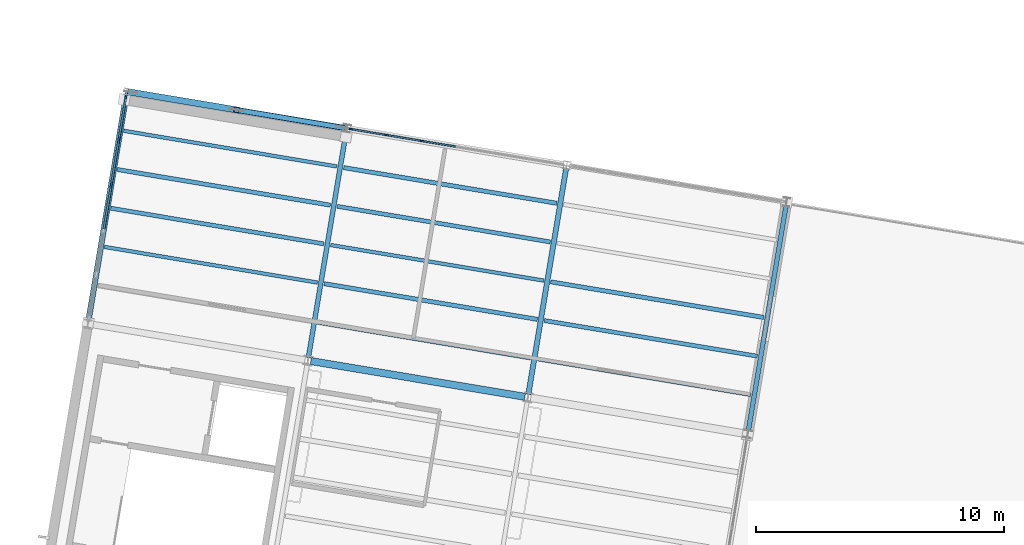
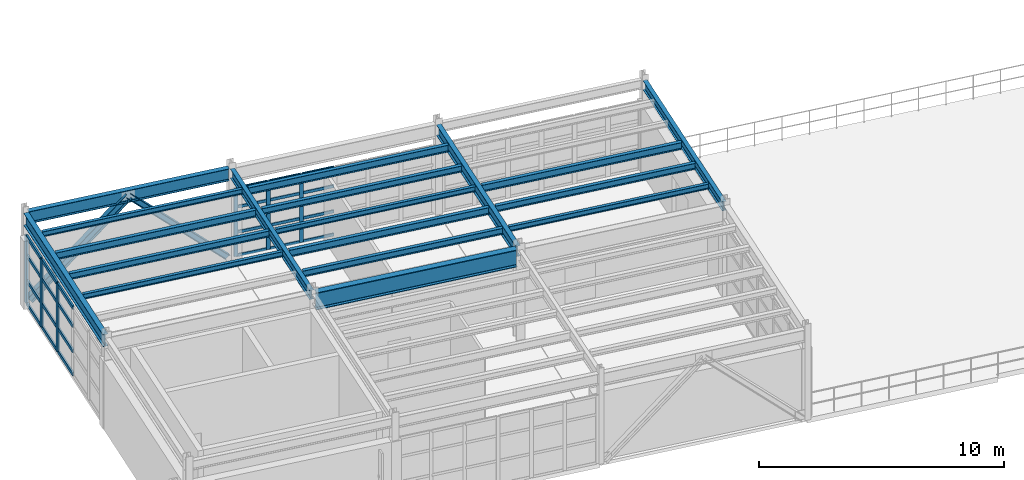
# One storey, part 25 of 59: 32 members, 18 beams, 2 elements without a shape of their own.
"""IFC4 building model written with IfcOpenShell, lengths in metres."""

from ifc_helpers import new_model, si_unit, direction, frame, origin, origin_2d, place, context, subcontext, project, spatial, rectangle, i_section, extrude, material, layer, layer_set, material_profile, profile_set, type_object, element, aggregate, save


model = new_model("IFC4")

# Units and contexts
model_context = context("Model", 3, precision=1e-05, world=origin(), true_north=direction((0.0, 1.0)))
body_context = subcontext(model_context, "Body", "Model", "MODEL_VIEW")
ifc_project = project(units=[si_unit("LENGTHUNIT", "METRE"), si_unit("AREAUNIT", "SQUARE_METRE"), si_unit("VOLUMEUNIT", "CUBIC_METRE"), si_unit("PLANEANGLEUNIT", "RADIAN"), si_unit("MASSUNIT", "GRAM", prefix="KILO")], contexts=[model_context])

# Site, building, storey
site_placement = place(None, origin())
site = spatial("IfcSite", under=ifc_project, at=site_placement, CompositionType="ELEMENT")
building_placement = place(site_placement, origin())
building = spatial("IfcBuilding", under=site, at=building_placement, Name="Vireo Bluff Cable Station", CompositionType="ELEMENT")
storey_placement = place(building_placement, frame((0.0, 0.0, 14.39990234375)))
storey = spatial("IfcBuildingStorey", under=building, at=storey_placement, Name="L03", CompositionType="ELEMENT", Elevation=14.39990234375)

# Beams
ifc_material_1 = material(Name="Steel ASTM A992 Gr. 50", Category="steel")
ifc_material_profile_1 = material_profile(ifc_material_1, i_section(OverallWidth=0.193115234375, OverallDepth=0.467041015625, WebThickness=0.011474609375, FlangeThickness=0.01904296875, FilletRadius=0.011962890625, at=origin_2d()), Name="W18X65")
ifc_profile_set_1 = profile_set([ifc_material_profile_1], Name="Steel ASTM A992 Gr. 50")
beam_type_1 = type_object("IfcBeamType", Name="BM-W18X65", PredefinedType="BEAM", material=ifc_profile_set_1)
beam_1_placement = place(storey_placement, frame((17.5322265625, 88.872314453125, 4.2666015625), z_axis=(0.165044536891, 0.986286115102, 0.0), x_axis=(-0.986286115102, 0.165044536891, 0.0)))
element("IfcBeam", 1, at=beam_1_placement, inside=storey, type_object=beam_type_1, Name="V4 L03 beam 1060", PredefinedType="BEAM", context=body_context, shape_type="SweptSolid", body=[
    extrude(i_section(OverallWidth=0.193115234375, OverallDepth=0.467041015625, WebThickness=0.011474609375, FlangeThickness=0.01904296875, FilletRadius=0.011962890625, at=origin_2d()), origin(), (0.0, 0.0, 1.0), 9.260009765625),
])
ifc_material_profile_2 = material_profile(ifc_material_1, i_section(OverallWidth=0.2099609375, OverallDepth=0.535888671875, WebThickness=0.010986328125, FlangeThickness=0.017333984375, FilletRadius=0.012939453125, at=origin_2d()), Name="W21X68")
ifc_profile_set_2 = profile_set([ifc_material_profile_2], Name="Steel ASTM A992 Gr. 50")
beam_type_2 = type_object("IfcBeamType", Name="BM-W21X68", PredefinedType="BEAM", material=ifc_profile_set_2)
beam_2_placement = place(storey_placement, frame((26.408935546875, 87.386962890625, 4.232177734375), z_axis=(0.165044536891, 0.986286115102, 0.0), x_axis=(-0.986286115102, 0.165044536891, 0.0)))
element("IfcBeam", 2, at=beam_2_placement, inside=storey, type_object=beam_type_2, Name="V4 L03 beam 1062", PredefinedType="BEAM", context=body_context, shape_type="SweptSolid", body=[
    extrude(i_section(OverallWidth=0.2099609375, OverallDepth=0.535888671875, WebThickness=0.010986328125, FlangeThickness=0.017333984375, FilletRadius=0.012939453125, at=origin_2d()), origin(), (0.0, 0.0, 1.0), 9.260009765625),
])

# Members
ifc_material_profile_3 = material_profile(ifc_material_1, i_section(OverallWidth=0.2041015625, OverallDepth=0.257080078125, WebThickness=0.0087890625, FlangeThickness=0.015625, FilletRadius=0.009033203125, at=origin_2d()), Name="W10X45")
ifc_profile_set_3 = profile_set([ifc_material_profile_3], Name="Steel ASTM A992 Gr. 50")
member_type_1 = type_object("IfcMemberType", Name="BRC-01", PredefinedType="BRACE", material=ifc_profile_set_3)
member_1_placement = place(storey_placement, frame((18.922607421875, 98.150146484375, 0.0400390625), z_axis=(-0.713650967905, 0.119423483707, 0.690246570109), x_axis=(-0.165046622801, -0.986285766044, 0.0)))
element("IfcMember", 3, at=member_1_placement, inside=storey, type_object=member_type_1, Name="V4 L03 concentric brace 84R", PredefinedType="BRACE", context=body_context, shape_type="SweptSolid", body=[
    extrude(i_section(OverallWidth=0.2041015625, OverallDepth=0.257080078125, WebThickness=0.0087890625, FlangeThickness=0.015625, FilletRadius=0.009033203125, at=origin_2d()), origin(), (0.0, 0.0, 1.0), 5.998046875),
])
ifc_material_profile_4 = material_profile(ifc_material_1, i_section(OverallWidth=0.25390625, OverallDepth=0.35302734375, WebThickness=0.009521484375, FlangeThickness=0.016357421875, FilletRadius=0.011962890625, at=origin_2d()), Name="W14X61")
ifc_profile_set_4 = profile_set([ifc_material_profile_4], Name="Steel ASTM A992 Gr. 50")
member_type_2 = type_object("IfcMemberType", Name="BRC-06", PredefinedType="BRACE", material=ifc_profile_set_4)
member_2_placement = place(storey_placement, frame((10.361572265625, 99.582763671875, 0.0400390625), z_axis=(0.713650967905, -0.119423483707, 0.690246570109), x_axis=(0.165046622801, 0.986285766044, 0.0)))
element("IfcMember", 4, at=member_2_placement, inside=storey, type_object=member_type_2, Name="V4 L03 concentric brace 83L", PredefinedType="BRACE", context=body_context, shape_type="SweptSolid", body=[
    extrude(i_section(OverallWidth=0.25390625, OverallDepth=0.35302734375, WebThickness=0.009521484375, FlangeThickness=0.016357421875, FilletRadius=0.011962890625, at=origin_2d()), origin(), (0.0, 0.0, 1.0), 5.998046875),
])

# Curtain wall, members
ifc_material_2 = material(Name="Anodized Aluminium 6063-T6", Category="aluminium")
ifc_layer_1 = layer(ifc_material_2, 0.179931640625, Name="Anodized Aluminium 6063-T6")
ifc_layer_set_1 = layer_set([ifc_layer_1], Name="Anodized Aluminium 6063-T6")
curtain_wall_type_1 = type_object("IfcCurtainWallType", Name="CW-UNIT-1400", PredefinedType="USERDEFINED", material=ifc_layer_set_1)
curtain_wall_1_placement = place(storey_placement, origin())
curtain_wall_1 = element("IfcCurtainWall", 5, at=curtain_wall_1_placement, inside=storey, type_object=curtain_wall_type_1, Name="V4 L03 north curtain wall CW-108", ObjectType="UNITISED CURTAIN WALL", PredefinedType="USERDEFINED")
ifc_material_profile_5 = material_profile(ifc_material_2, rectangle(XDim=0.06494140625, YDim=0.179931640625, at=origin_2d()), Name="ALU-M-65X180")
ifc_profile_set_5 = profile_set([ifc_material_profile_5], Name="Anodized Aluminium 6063-T6")
member_type_3 = type_object("IfcMemberType", Name="CWM-01", PredefinedType="MULLION", material=ifc_profile_set_5)
member_3_placement = place(storey_placement, frame((19.264892578125, 98.0927734375, 0.0), z_axis=(0.0, 0.0, 1.0), x_axis=(0.165047525781, 0.986285614938, 0.0)))
member_3 = element("IfcMember", 6, at=member_3_placement, type_object=member_type_3, Name="CW-108 mullion 1", PredefinedType="MULLION", context=body_context, shape_type="SweptSolid", body=[
    extrude(rectangle(XDim=0.06494140625, YDim=0.179931640625, at=origin_2d()), origin(), (0.0, 0.0, 1.0), 3.400146484375),
])
member_4_placement = place(storey_placement, frame((20.661376953125, 97.859130859375, 0.0), z_axis=(0.0, 0.0, 1.0), x_axis=(0.165047525781, 0.986285614938, 0.0)))
member_4 = element("IfcMember", 7, at=member_4_placement, type_object=member_type_3, Name="CW-108 mullion 2", PredefinedType="MULLION", context=body_context, shape_type="SweptSolid", body=[
    extrude(rectangle(XDim=0.06494140625, YDim=0.179931640625, at=origin_2d()), origin(), (0.0, 0.0, 1.0), 3.400146484375),
])
member_5_placement = place(storey_placement, frame((22.08984375, 97.6201171875, 0.0), z_axis=(0.0, 0.0, 1.0), x_axis=(0.165047525781, 0.986285614938, 0.0)))
member_5 = element("IfcMember", 8, at=member_5_placement, type_object=member_type_3, Name="CW-108 mullion 3", PredefinedType="MULLION", context=body_context, shape_type="SweptSolid", body=[
    extrude(rectangle(XDim=0.06494140625, YDim=0.179931640625, at=origin_2d()), origin(), (0.0, 0.0, 1.0), 3.400146484375),
])

ifc_layer_2 = layer(ifc_material_2, 0.159912109375, Name="Anodized Aluminium 6063-T6")
ifc_layer_set_2 = layer_set([ifc_layer_2], Name="Anodized Aluminium 6063-T6")
curtain_wall_type_2 = type_object("IfcCurtainWallType", Name="CW-STICK-1850", PredefinedType="USERDEFINED", material=ifc_layer_set_2)
curtain_wall_2_placement = place(storey_placement, origin())
curtain_wall_2 = element("IfcCurtainWall", 9, at=curtain_wall_2_placement, inside=storey, type_object=curtain_wall_type_2, Name="V4 L03 west curtain wall CW-107", ObjectType="STICK CURTAIN WALL", PredefinedType="USERDEFINED")
ifc_material_profile_6 = material_profile(ifc_material_2, rectangle(XDim=0.080078125, YDim=0.239990234375, at=origin_2d()), Name="ALU-M-80X240")
ifc_profile_set_6 = profile_set([ifc_material_profile_6], Name="Anodized Aluminium 6063-T6")
member_type_4 = type_object("IfcMemberType", Name="CWM-04", PredefinedType="MULLION", material=ifc_profile_set_6)
member_6_placement = place(storey_placement, frame((9.573974609375, 95.844970703125, 0.0), z_axis=(0.0, 0.0, 1.0), x_axis=(-0.986285614232, 0.165047529999, 0.0)))
member_6 = element("IfcMember", 10, at=member_6_placement, type_object=member_type_4, Name="CW-107 mullion 4", PredefinedType="MULLION", context=body_context, shape_type="SweptSolid", body=[
    extrude(rectangle(XDim=0.080078125, YDim=0.239990234375, at=origin_2d()), origin(), (0.0, 0.0, 1.0), 3.400146484375),
])
member_7_placement = place(storey_placement, frame((9.8779296875, 97.660888671875, 0.0), z_axis=(0.0, 0.0, 1.0), x_axis=(-0.986285614232, 0.165047529999, 0.0)))
member_7 = element("IfcMember", 11, at=member_7_placement, type_object=member_type_4, Name="CW-107 mullion 5", PredefinedType="MULLION", context=body_context, shape_type="SweptSolid", body=[
    extrude(rectangle(XDim=0.080078125, YDim=0.239990234375, at=origin_2d()), origin(), (0.0, 0.0, 1.0), 3.400146484375),
])
member_8_placement = place(storey_placement, frame((10.175048828125, 99.4375, 0.0), z_axis=(0.0, 0.0, 1.0), x_axis=(-0.986285614232, 0.165047529999, 0.0)))
member_8 = element("IfcMember", 12, at=member_8_placement, type_object=member_type_4, Name="CW-107 mullion 6", PredefinedType="MULLION", context=body_context, shape_type="SweptSolid", body=[
    extrude(rectangle(XDim=0.080078125, YDim=0.239990234375, at=origin_2d()), origin(), (0.0, 0.0, 1.0), 3.400146484375),
])

# Member
ifc_material_profile_7 = material_profile(ifc_material_2, rectangle(XDim=0.06494140625, YDim=0.139892578125, at=origin_2d()), Name="ALU-T-65X140")
ifc_profile_set_7 = profile_set([ifc_material_profile_7], Name="Anodized Aluminium 6063-T6")
member_type_5 = type_object("IfcMemberType", Name="CWT-01", PredefinedType="USERDEFINED", material=ifc_profile_set_7)
member_9_placement = place(storey_placement, frame((19.296875, 98.08740234375, 0.03271484375), z_axis=(0.986291150375, -0.165014443887, 0.0), x_axis=(0.165014443887, 0.986291150375, 0.0)))
member_9 = element("IfcMember", 13, at=member_9_placement, type_object=member_type_5, Name="CW-108 transom 1.1", ObjectType="TRANSOM", PredefinedType="USERDEFINED", context=body_context, shape_type="SweptSolid", body=[
    extrude(rectangle(XDim=0.06494140625, YDim=0.139892578125, at=origin_2d()), origin(), (0.0, 0.0, 1.0), 1.350830078125),
])

member_10_placement = place(storey_placement, frame((19.296875, 98.08740234375, 1.190185546875), z_axis=(0.986291150375, -0.165014443887, 0.0), x_axis=(0.165014443887, 0.986291150375, 0.0)))
member_10 = element("IfcMember", 14, at=member_10_placement, type_object=member_type_5, Name="CW-108 transom 1.2", ObjectType="TRANSOM", PredefinedType="USERDEFINED", context=body_context, shape_type="SweptSolid", body=[
    extrude(rectangle(XDim=0.06494140625, YDim=0.139892578125, at=origin_2d()), origin(), (0.0, 0.0, 1.0), 1.350830078125),
])

member_11_placement = place(storey_placement, frame((19.296875, 98.08740234375, 2.447998046875), z_axis=(0.986291150375, -0.165014443887, 0.0), x_axis=(0.165014443887, 0.986291150375, 0.0)))
member_11 = element("IfcMember", 15, at=member_11_placement, type_object=member_type_5, Name="CW-108 transom 1.3", ObjectType="TRANSOM", PredefinedType="USERDEFINED", context=body_context, shape_type="SweptSolid", body=[
    extrude(rectangle(XDim=0.06494140625, YDim=0.139892578125, at=origin_2d()), origin(), (0.0, 0.0, 1.0), 1.350830078125),
])

member_12_placement = place(storey_placement, frame((19.296875, 98.08740234375, 3.36767578125), z_axis=(0.986291150375, -0.165014443887, 0.0), x_axis=(0.165014443887, 0.986291150375, 0.0)))
member_12 = element("IfcMember", 16, at=member_12_placement, type_object=member_type_5, Name="CW-108 transom 1.4", ObjectType="TRANSOM", PredefinedType="USERDEFINED", context=body_context, shape_type="SweptSolid", body=[
    extrude(rectangle(XDim=0.06494140625, YDim=0.139892578125, at=origin_2d()), origin(), (0.0, 0.0, 1.0), 1.350830078125),
])

member_13_placement = place(storey_placement, frame((20.693359375, 97.853759765625, 0.03271484375), z_axis=(0.986288776182, -0.16502863381, 0.0), x_axis=(0.16502863381, 0.986288776182, 0.0)))
member_13 = element("IfcMember", 17, at=member_13_placement, type_object=member_type_5, Name="CW-108 transom 2.1", ObjectType="TRANSOM", PredefinedType="USERDEFINED", context=body_context, shape_type="SweptSolid", body=[
    extrude(rectangle(XDim=0.06494140625, YDim=0.139892578125, at=origin_2d()), origin(), (0.0, 0.0, 1.0), 1.38330078125),
])

member_14_placement = place(storey_placement, frame((20.693359375, 97.853759765625, 1.190185546875), z_axis=(0.986288776182, -0.16502863381, 0.0), x_axis=(0.16502863381, 0.986288776182, 0.0)))
member_14 = element("IfcMember", 18, at=member_14_placement, type_object=member_type_5, Name="CW-108 transom 2.2", ObjectType="TRANSOM", PredefinedType="USERDEFINED", context=body_context, shape_type="SweptSolid", body=[
    extrude(rectangle(XDim=0.06494140625, YDim=0.139892578125, at=origin_2d()), origin(), (0.0, 0.0, 1.0), 1.38330078125),
])

member_15_placement = place(storey_placement, frame((20.693359375, 97.853759765625, 2.447998046875), z_axis=(0.986288776182, -0.16502863381, 0.0), x_axis=(0.16502863381, 0.986288776182, 0.0)))
member_15 = element("IfcMember", 19, at=member_15_placement, type_object=member_type_5, Name="CW-108 transom 2.3", ObjectType="TRANSOM", PredefinedType="USERDEFINED", context=body_context, shape_type="SweptSolid", body=[
    extrude(rectangle(XDim=0.06494140625, YDim=0.139892578125, at=origin_2d()), origin(), (0.0, 0.0, 1.0), 1.38330078125),
])

member_16_placement = place(storey_placement, frame((20.693359375, 97.853759765625, 3.36767578125), z_axis=(0.986288776182, -0.16502863381, 0.0), x_axis=(0.16502863381, 0.986288776182, 0.0)))
member_16 = element("IfcMember", 20, at=member_16_placement, type_object=member_type_5, Name="CW-108 transom 2.4", ObjectType="TRANSOM", PredefinedType="USERDEFINED", context=body_context, shape_type="SweptSolid", body=[
    extrude(rectangle(XDim=0.06494140625, YDim=0.139892578125, at=origin_2d()), origin(), (0.0, 0.0, 1.0), 1.38330078125),
])

member_17_placement = place(storey_placement, frame((22.121826171875, 97.61474609375, 0.03271484375), z_axis=(0.986288776182, -0.16502863381, 0.0), x_axis=(0.16502863381, 0.986288776182, 0.0)))
member_17 = element("IfcMember", 21, at=member_17_placement, type_object=member_type_5, Name="CW-108 transom 3.1", ObjectType="TRANSOM", PredefinedType="USERDEFINED", context=body_context, shape_type="SweptSolid", body=[
    extrude(rectangle(XDim=0.06494140625, YDim=0.139892578125, at=origin_2d()), origin(), (0.0, 0.0, 1.0), 1.38330078125),
])

member_18_placement = place(storey_placement, frame((22.121826171875, 97.61474609375, 1.190185546875), z_axis=(0.986288776182, -0.16502863381, 0.0), x_axis=(0.16502863381, 0.986288776182, 0.0)))
member_18 = element("IfcMember", 22, at=member_18_placement, type_object=member_type_5, Name="CW-108 transom 3.2", ObjectType="TRANSOM", PredefinedType="USERDEFINED", context=body_context, shape_type="SweptSolid", body=[
    extrude(rectangle(XDim=0.06494140625, YDim=0.139892578125, at=origin_2d()), origin(), (0.0, 0.0, 1.0), 1.38330078125),
])

member_19_placement = place(storey_placement, frame((22.121826171875, 97.61474609375, 2.447998046875), z_axis=(0.986288776182, -0.16502863381, 0.0), x_axis=(0.16502863381, 0.986288776182, 0.0)))
member_19 = element("IfcMember", 23, at=member_19_placement, type_object=member_type_5, Name="CW-108 transom 3.3", ObjectType="TRANSOM", PredefinedType="USERDEFINED", context=body_context, shape_type="SweptSolid", body=[
    extrude(rectangle(XDim=0.06494140625, YDim=0.139892578125, at=origin_2d()), origin(), (0.0, 0.0, 1.0), 1.38330078125),
])

member_20_placement = place(storey_placement, frame((22.121826171875, 97.61474609375, 3.36767578125), z_axis=(0.986288776182, -0.16502863381, 0.0), x_axis=(0.16502863381, 0.986288776182, 0.0)))
member_20 = element("IfcMember", 24, at=member_20_placement, type_object=member_type_5, Name="CW-108 transom 3.4", ObjectType="TRANSOM", PredefinedType="USERDEFINED", context=body_context, shape_type="SweptSolid", body=[
    extrude(rectangle(XDim=0.06494140625, YDim=0.139892578125, at=origin_2d()), origin(), (0.0, 0.0, 1.0), 1.38330078125),
])

aggregate(curtain_wall_1, [member_3, member_4, member_5, member_9, member_10, member_11, member_12, member_13, member_14, member_15, member_16, member_17, member_18, member_19, member_20])

ifc_material_profile_8 = material_profile(ifc_material_2, rectangle(XDim=0.080078125, YDim=0.175048828125, at=origin_2d()), Name="ALU-T-80X175")
ifc_profile_set_8 = profile_set([ifc_material_profile_8], Name="Anodized Aluminium 6063-T6")
member_type_6 = type_object("IfcMemberType", Name="CWT-04", PredefinedType="USERDEFINED", material=ifc_profile_set_8)
member_21_placement = place(storey_placement, frame((9.276611328125, 94.068359375, 0.0400390625), z_axis=(0.165095790109, 0.986277537049, 0.0), x_axis=(-0.986277537049, 0.165095790109, 0.0)))
member_21 = element("IfcMember", 25, at=member_21_placement, type_object=member_type_6, Name="CW-107 transom 3.1", ObjectType="TRANSOM", PredefinedType="USERDEFINED", context=body_context, shape_type="SweptSolid", body=[
    extrude(rectangle(XDim=0.080078125, YDim=0.175048828125, at=origin_2d()), origin(), (0.0, 0.0, 1.0), 1.76123046875),
])

member_22_placement = place(storey_placement, frame((9.276611328125, 94.068359375, 1.190185546875), z_axis=(0.165095790109, 0.986277537049, 0.0), x_axis=(-0.986277537049, 0.165095790109, 0.0)))
member_22 = element("IfcMember", 26, at=member_22_placement, type_object=member_type_6, Name="CW-107 transom 3.2", ObjectType="TRANSOM", PredefinedType="USERDEFINED", context=body_context, shape_type="SweptSolid", body=[
    extrude(rectangle(XDim=0.080078125, YDim=0.175048828125, at=origin_2d()), origin(), (0.0, 0.0, 1.0), 1.76123046875),
])

member_23_placement = place(storey_placement, frame((9.276611328125, 94.068359375, 2.447998046875), z_axis=(0.165095790109, 0.986277537049, 0.0), x_axis=(-0.986277537049, 0.165095790109, 0.0)))
member_23 = element("IfcMember", 27, at=member_23_placement, type_object=member_type_6, Name="CW-107 transom 3.3", ObjectType="TRANSOM", PredefinedType="USERDEFINED", context=body_context, shape_type="SweptSolid", body=[
    extrude(rectangle(XDim=0.080078125, YDim=0.175048828125, at=origin_2d()), origin(), (0.0, 0.0, 1.0), 1.76123046875),
])

member_24_placement = place(storey_placement, frame((9.276611328125, 94.068359375, 3.360107421875), z_axis=(0.165095790109, 0.986277537049, 0.0), x_axis=(-0.986277537049, 0.165095790109, 0.0)))
member_24 = element("IfcMember", 28, at=member_24_placement, type_object=member_type_6, Name="CW-107 transom 3.4", ObjectType="TRANSOM", PredefinedType="USERDEFINED", context=body_context, shape_type="SweptSolid", body=[
    extrude(rectangle(XDim=0.080078125, YDim=0.175048828125, at=origin_2d()), origin(), (0.0, 0.0, 1.0), 1.76123046875),
])

member_25_placement = place(storey_placement, frame((9.58056640625, 95.88427734375, 0.0400390625), z_axis=(0.165073221706, 0.986281314573, 0.0), x_axis=(-0.986281314573, 0.165073221706, 0.0)))
member_25 = element("IfcMember", 29, at=member_25_placement, type_object=member_type_6, Name="CW-107 transom 4.1", ObjectType="TRANSOM", PredefinedType="USERDEFINED", context=body_context, shape_type="SweptSolid", body=[
    extrude(rectangle(XDim=0.080078125, YDim=0.175048828125, at=origin_2d()), origin(), (0.0, 0.0, 1.0), 1.761474609375),
])

member_26_placement = place(storey_placement, frame((9.58056640625, 95.88427734375, 1.190185546875), z_axis=(0.165073221706, 0.986281314573, 0.0), x_axis=(-0.986281314573, 0.165073221706, 0.0)))
member_26 = element("IfcMember", 30, at=member_26_placement, type_object=member_type_6, Name="CW-107 transom 4.2", ObjectType="TRANSOM", PredefinedType="USERDEFINED", context=body_context, shape_type="SweptSolid", body=[
    extrude(rectangle(XDim=0.080078125, YDim=0.175048828125, at=origin_2d()), origin(), (0.0, 0.0, 1.0), 1.761474609375),
])

member_27_placement = place(storey_placement, frame((9.58056640625, 95.88427734375, 2.447998046875), z_axis=(0.165073221706, 0.986281314573, 0.0), x_axis=(-0.986281314573, 0.165073221706, 0.0)))
member_27 = element("IfcMember", 31, at=member_27_placement, type_object=member_type_6, Name="CW-107 transom 4.3", ObjectType="TRANSOM", PredefinedType="USERDEFINED", context=body_context, shape_type="SweptSolid", body=[
    extrude(rectangle(XDim=0.080078125, YDim=0.175048828125, at=origin_2d()), origin(), (0.0, 0.0, 1.0), 1.761474609375),
])

member_28_placement = place(storey_placement, frame((9.58056640625, 95.88427734375, 3.360107421875), z_axis=(0.165073221706, 0.986281314573, 0.0), x_axis=(-0.986281314573, 0.165073221706, 0.0)))
member_28 = element("IfcMember", 32, at=member_28_placement, type_object=member_type_6, Name="CW-107 transom 4.4", ObjectType="TRANSOM", PredefinedType="USERDEFINED", context=body_context, shape_type="SweptSolid", body=[
    extrude(rectangle(XDim=0.080078125, YDim=0.175048828125, at=origin_2d()), origin(), (0.0, 0.0, 1.0), 1.761474609375),
])

member_29_placement = place(storey_placement, frame((9.884521484375, 97.700439453125, 0.0400390625), z_axis=(0.164950957517, 0.986301770055, 0.0), x_axis=(-0.986301770055, 0.164950957517, 0.0)))
member_29 = element("IfcMember", 33, at=member_29_placement, type_object=member_type_6, Name="CW-107 transom 5.1", ObjectType="TRANSOM", PredefinedType="USERDEFINED", context=body_context, shape_type="SweptSolid", body=[
    extrude(rectangle(XDim=0.080078125, YDim=0.175048828125, at=origin_2d()), origin(), (0.0, 0.0, 1.0), 1.721435546875),
])

member_30_placement = place(storey_placement, frame((9.884521484375, 97.700439453125, 1.190185546875), z_axis=(0.164950957517, 0.986301770055, 0.0), x_axis=(-0.986301770055, 0.164950957517, 0.0)))
member_30 = element("IfcMember", 34, at=member_30_placement, type_object=member_type_6, Name="CW-107 transom 5.2", ObjectType="TRANSOM", PredefinedType="USERDEFINED", context=body_context, shape_type="SweptSolid", body=[
    extrude(rectangle(XDim=0.080078125, YDim=0.175048828125, at=origin_2d()), origin(), (0.0, 0.0, 1.0), 1.721435546875),
])

member_31_placement = place(storey_placement, frame((9.884521484375, 97.700439453125, 2.447998046875), z_axis=(0.164950957517, 0.986301770055, 0.0), x_axis=(-0.986301770055, 0.164950957517, 0.0)))
member_31 = element("IfcMember", 35, at=member_31_placement, type_object=member_type_6, Name="CW-107 transom 5.3", ObjectType="TRANSOM", PredefinedType="USERDEFINED", context=body_context, shape_type="SweptSolid", body=[
    extrude(rectangle(XDim=0.080078125, YDim=0.175048828125, at=origin_2d()), origin(), (0.0, 0.0, 1.0), 1.721435546875),
])

member_32_placement = place(storey_placement, frame((9.884521484375, 97.700439453125, 3.360107421875), z_axis=(0.164950957517, 0.986301770055, 0.0), x_axis=(-0.986301770055, 0.164950957517, 0.0)))
member_32 = element("IfcMember", 36, at=member_32_placement, type_object=member_type_6, Name="CW-107 transom 5.4", ObjectType="TRANSOM", PredefinedType="USERDEFINED", context=body_context, shape_type="SweptSolid", body=[
    extrude(rectangle(XDim=0.080078125, YDim=0.175048828125, at=origin_2d()), origin(), (0.0, 0.0, 1.0), 1.721435546875),
])

aggregate(curtain_wall_2, [member_6, member_7, member_8, member_21, member_22, member_23, member_24, member_25, member_26, member_27, member_28, member_29, member_30, member_31, member_32])

# Beams
ifc_material_profile_9 = material_profile(ifc_material_1, i_section(OverallWidth=0.2919921875, OverallDepth=0.85888671875, WebThickness=0.01708984375, FlangeThickness=0.031005859375, FilletRadius=0.01806640625, at=origin_2d()), Name="W33X169")
ifc_profile_set_9 = profile_set([ifc_material_profile_9], Name="Steel ASTM A992 Gr. 50")
beam_type_3 = type_object("IfcBeamType", Name="GIR-W33X169", PredefinedType="USERDEFINED", material=ifc_profile_set_9)
beam_3_placement = place(storey_placement, frame((17.630859375, 88.734130859375, 4.070556640625), z_axis=(0.986285998922, -0.165045231163, 0.0), x_axis=(0.165045231163, 0.986285998922, 0.0)))
element("IfcBeam", 37, at=beam_3_placement, inside=storey, type_object=beam_type_3, Name="V4 L03 girder 1052", ObjectType="GIRDER", PredefinedType="USERDEFINED", context=body_context, shape_type="SweptSolid", body=[
    extrude(i_section(OverallWidth=0.2919921875, OverallDepth=0.85888671875, WebThickness=0.01708984375, FlangeThickness=0.031005859375, FilletRadius=0.01806640625, at=origin_2d()), origin(), (0.0, 0.0, 1.0), 8.760009765625),
])
ifc_material_profile_10 = material_profile(ifc_material_1, i_section(OverallWidth=0.14599609375, OverallDepth=0.259033203125, WebThickness=0.006103515625, FlangeThickness=0.009033203125, FilletRadius=0.009033203125, at=origin_2d()), Name="W10X22")
ifc_profile_set_10 = profile_set([ifc_material_profile_10], Name="Steel ASTM A992 Gr. 50")
beam_type_4 = type_object("IfcBeamType", Name="JST-W10X22", PredefinedType="JOIST", material=ifc_profile_set_10)
for number, where, z_axis, x_axis, name in (
    (38, (9.296630859375, 93.339599609375, 4.37060546875), (0.98628550168, -0.165048202583, 0.0), (0.165048202583, 0.98628550168, 0.0), "V4 L03 composite joist 1066"),
    (39, (10.08056640625, 98.0244140625, 4.37060546875), (0.98628550168, -0.165048202583, 0.0), (0.165048202583, 0.98628550168, 0.0), "V4 L03 composite joist 1069"),
    (40, (18.4345703125, 93.415771484375, 4.37060546875), (0.98628550168, -0.165048202583, 0.0), (0.165048202583, 0.98628550168, 0.0), "V4 L03 composite joist 1077"),
):
    element("IfcBeam", number, at=place(storey_placement, frame(where, z_axis=z_axis, x_axis=x_axis)), inside=storey, type_object=beam_type_4, Name=name, PredefinedType="JOIST", context=body_context, shape_type="SweptSolid", body=[
        extrude(i_section(OverallWidth=0.14599609375, OverallDepth=0.259033203125, WebThickness=0.006103515625, FlangeThickness=0.009033203125, FilletRadius=0.009033203125, at=origin_2d()), origin(), (0.0, 0.0, 1.0), 8.719970703125),
    ])
beam_4_placement = place(storey_placement, frame((26.788330078125, 88.80712890625, 4.37060546875), z_axis=(0.986286264339, -0.165043645063, 0.0), x_axis=(0.165043645063, 0.986286264339, 0.0)))
element("IfcBeam", 41, at=beam_4_placement, inside=storey, type_object=beam_type_4, Name="V4 L03 composite joist 1085", PredefinedType="JOIST", context=body_context, shape_type="SweptSolid", body=[
    extrude(i_section(OverallWidth=0.14599609375, OverallDepth=0.259033203125, WebThickness=0.006103515625, FlangeThickness=0.009033203125, FilletRadius=0.009033203125, at=origin_2d()), origin(), (0.0, 0.0, 1.0), 8.72021484375),
])
ifc_material_profile_11 = material_profile(ifc_material_1, i_section(OverallWidth=0.1650390625, OverallDepth=0.31005859375, WebThickness=0.005859375, FlangeThickness=0.009765625, FilletRadius=0.010009765625, at=origin_2d()), Name="W12X26")
ifc_profile_set_11 = profile_set([ifc_material_profile_11], Name="Steel ASTM A992 Gr. 50")
beam_type_5 = type_object("IfcBeamType", Name="JST-W12X26", PredefinedType="JOIST", material=ifc_profile_set_11)
beam_5_placement = place(storey_placement, frame((9.557861328125, 94.901123046875, 4.34521484375), z_axis=(0.986286264339, -0.165043645063, 0.0), x_axis=(0.165043645063, 0.986286264339, 0.0)))
element("IfcBeam", 42, at=beam_5_placement, inside=storey, type_object=beam_type_5, Name="V4 L03 composite joist 1067", PredefinedType="JOIST", context=body_context, shape_type="SweptSolid", body=[
    extrude(i_section(OverallWidth=0.1650390625, OverallDepth=0.31005859375, WebThickness=0.005859375, FlangeThickness=0.009765625, FilletRadius=0.010009765625, at=origin_2d()), origin(), (0.0, 0.0, 1.0), 8.72021484375),
])
beam_6_placement = place(storey_placement, frame((17.911865234375, 90.29248046875, 4.34521484375), z_axis=(0.98628550168, -0.165048202583, 0.0), x_axis=(0.165048202583, 0.98628550168, 0.0)))
element("IfcBeam", 43, at=beam_6_placement, inside=storey, type_object=beam_type_5, Name="V4 L03 composite joist 1075", PredefinedType="JOIST", context=body_context, shape_type="SweptSolid", body=[
    extrude(i_section(OverallWidth=0.1650390625, OverallDepth=0.31005859375, WebThickness=0.005859375, FlangeThickness=0.009765625, FilletRadius=0.010009765625, at=origin_2d()), origin(), (0.0, 0.0, 1.0), 8.719970703125),
])
beam_7_placement = place(storey_placement, frame((18.69580078125, 94.977294921875, 4.34521484375), z_axis=(0.986286264339, -0.165043645063, 0.0), x_axis=(0.165043645063, 0.986286264339, 0.0)))
element("IfcBeam", 44, at=beam_7_placement, inside=storey, type_object=beam_type_5, Name="V4 L03 composite joist 1078", PredefinedType="JOIST", context=body_context, shape_type="SweptSolid", body=[
    extrude(i_section(OverallWidth=0.1650390625, OverallDepth=0.31005859375, WebThickness=0.005859375, FlangeThickness=0.009765625, FilletRadius=0.010009765625, at=origin_2d()), origin(), (0.0, 0.0, 1.0), 8.72021484375),
])
beam_8_placement = place(storey_placement, frame((27.0498046875, 90.36865234375, 4.34521484375), z_axis=(0.98628550168, -0.165048202583, 0.0), x_axis=(0.165048202583, 0.98628550168, 0.0)))
element("IfcBeam", 45, at=beam_8_placement, inside=storey, type_object=beam_type_5, Name="V4 L03 composite joist 1086", PredefinedType="JOIST", context=body_context, shape_type="SweptSolid", body=[
    extrude(i_section(OverallWidth=0.1650390625, OverallDepth=0.31005859375, WebThickness=0.005859375, FlangeThickness=0.009765625, FilletRadius=0.010009765625, at=origin_2d()), origin(), (0.0, 0.0, 1.0), 8.719970703125),
])
ifc_material_profile_12 = material_profile(ifc_material_1, i_section(OverallWidth=0.1708984375, OverallDepth=0.35107421875, WebThickness=0.0068359375, FlangeThickness=0.009765625, FilletRadius=0.010009765625, at=origin_2d()), Name="W14X30")
ifc_profile_set_12 = profile_set([ifc_material_profile_12], Name="Steel ASTM A992 Gr. 50")
beam_type_6 = type_object("IfcBeamType", Name="JST-W14X30", PredefinedType="JOIST", material=ifc_profile_set_12)
beam_9_placement = place(storey_placement, frame((9.8193359375, 96.462890625, 4.32470703125), z_axis=(0.98628550168, -0.165048202583, 0.0), x_axis=(0.165048202583, 0.98628550168, 0.0)))
element("IfcBeam", 46, at=beam_9_placement, inside=storey, type_object=beam_type_6, Name="V4 L03 composite joist 1068", PredefinedType="JOIST", context=body_context, shape_type="SweptSolid", body=[
    extrude(i_section(OverallWidth=0.1708984375, OverallDepth=0.35107421875, WebThickness=0.0068359375, FlangeThickness=0.009765625, FilletRadius=0.010009765625, at=origin_2d()), origin(), (0.0, 0.0, 1.0), 8.719970703125),
])
beam_10_placement = place(storey_placement, frame((18.173095703125, 91.854248046875, 4.32470703125), z_axis=(0.986281706588, -0.165070879472, 0.0), x_axis=(0.165070879472, 0.986281706588, 0.0)))
element("IfcBeam", 47, at=beam_10_placement, inside=storey, type_object=beam_type_6, Name="V4 L03 composite joist 1076", PredefinedType="JOIST", context=body_context, shape_type="SweptSolid", body=[
    extrude(i_section(OverallWidth=0.1708984375, OverallDepth=0.35107421875, WebThickness=0.0068359375, FlangeThickness=0.009765625, FilletRadius=0.010009765625, at=origin_2d()), origin(), (0.0, 0.0, 1.0), 8.72021484375),
])
beam_11_placement = place(storey_placement, frame((18.957275390625, 96.5390625, 4.32470703125), z_axis=(0.98628550168, -0.165048202583, 0.0), x_axis=(0.165048202583, 0.98628550168, 0.0)))
element("IfcBeam", 48, at=beam_11_placement, inside=storey, type_object=beam_type_6, Name="V4 L03 composite joist 1079", PredefinedType="JOIST", context=body_context, shape_type="SweptSolid", body=[
    extrude(i_section(OverallWidth=0.1708984375, OverallDepth=0.35107421875, WebThickness=0.0068359375, FlangeThickness=0.009765625, FilletRadius=0.010009765625, at=origin_2d()), origin(), (0.0, 0.0, 1.0), 8.719970703125),
])
beam_12_placement = place(storey_placement, frame((27.31103515625, 91.930419921875, 4.32470703125), z_axis=(0.986286264339, -0.165043645063, 0.0), x_axis=(0.165043645063, 0.986286264339, 0.0)))
element("IfcBeam", 49, at=beam_12_placement, inside=storey, type_object=beam_type_6, Name="V4 L03 composite joist 1087", PredefinedType="JOIST", context=body_context, shape_type="SweptSolid", body=[
    extrude(i_section(OverallWidth=0.1708984375, OverallDepth=0.35107421875, WebThickness=0.0068359375, FlangeThickness=0.009765625, FilletRadius=0.010009765625, at=origin_2d()), origin(), (0.0, 0.0, 1.0), 8.72021484375),
])
ifc_material_profile_13 = material_profile(ifc_material_1, i_section(OverallWidth=0.19091796875, OverallDepth=0.45703125, WebThickness=0.009033203125, FlangeThickness=0.014404296875, FilletRadius=0.011962890625, at=origin_2d()), Name="W18X50")
ifc_profile_set_13 = profile_set([ifc_material_profile_13], Name="Steel ASTM A992 Gr. 50")
beam_type_7 = type_object("IfcBeamType", Name="SPN-W18X50", PredefinedType="SPANDREL", material=ifc_profile_set_13)
beam_13_placement = place(storey_placement, frame((35.285400390625, 85.901611328125, 4.271484375), z_axis=(0.165048828716, 0.986285396901, 0.0), x_axis=(-0.986285396901, 0.165048828716, 0.0)))
element("IfcBeam", 50, at=beam_13_placement, inside=storey, type_object=beam_type_7, Name="V4 L03 spandrel 1064", PredefinedType="SPANDREL", context=body_context, shape_type="SweptSolid", body=[
    extrude(i_section(OverallWidth=0.19091796875, OverallDepth=0.45703125, WebThickness=0.009033203125, FlangeThickness=0.014404296875, FilletRadius=0.011962890625, at=origin_2d()), origin(), (0.0, 0.0, 1.0), 9.259765625),
])
ifc_material_profile_14 = material_profile(ifc_material_1, i_section(OverallWidth=0.22802734375, OverallDepth=0.60693359375, WebThickness=0.01123046875, FlangeThickness=0.017333984375, FilletRadius=0.012939453125, at=origin_2d()), Name="W24X76")
ifc_profile_set_14 = profile_set([ifc_material_profile_14], Name="Steel ASTM A992 Gr. 50")
beam_type_8 = type_object("IfcBeamType", Name="SPN-W24X76", PredefinedType="SPANDREL", material=ifc_profile_set_14)
beam_14_placement = place(storey_placement, frame((10.322265625, 99.58935546875, 4.196533203125), z_axis=(0.986285998922, -0.165045231163, 0.0), x_axis=(0.165045231163, 0.986285998922, 0.0)))
element("IfcBeam", 51, at=beam_14_placement, inside=storey, type_object=beam_type_8, Name="V4 L03 spandrel 1054", PredefinedType="SPANDREL", context=body_context, shape_type="SweptSolid", body=[
    extrude(i_section(OverallWidth=0.22802734375, OverallDepth=0.60693359375, WebThickness=0.01123046875, FlangeThickness=0.017333984375, FilletRadius=0.012939453125, at=origin_2d()), origin(), (0.0, 0.0, 1.0), 8.760009765625),
])
beam_15_placement = place(storey_placement, frame((8.65576171875, 90.357666015625, 4.196533203125), z_axis=(0.165044536891, 0.986286115102, 0.0), x_axis=(-0.986286115102, 0.165044536891, 0.0)))
element("IfcBeam", 52, at=beam_15_placement, inside=storey, type_object=beam_type_8, Name="V4 L03 spandrel 1058", PredefinedType="SPANDREL", context=body_context, shape_type="SweptSolid", body=[
    extrude(i_section(OverallWidth=0.22802734375, OverallDepth=0.60693359375, WebThickness=0.01123046875, FlangeThickness=0.017333984375, FilletRadius=0.012939453125, at=origin_2d()), origin(), (0.0, 0.0, 1.0), 9.260009765625),
])

save(model, "model.ifc")
